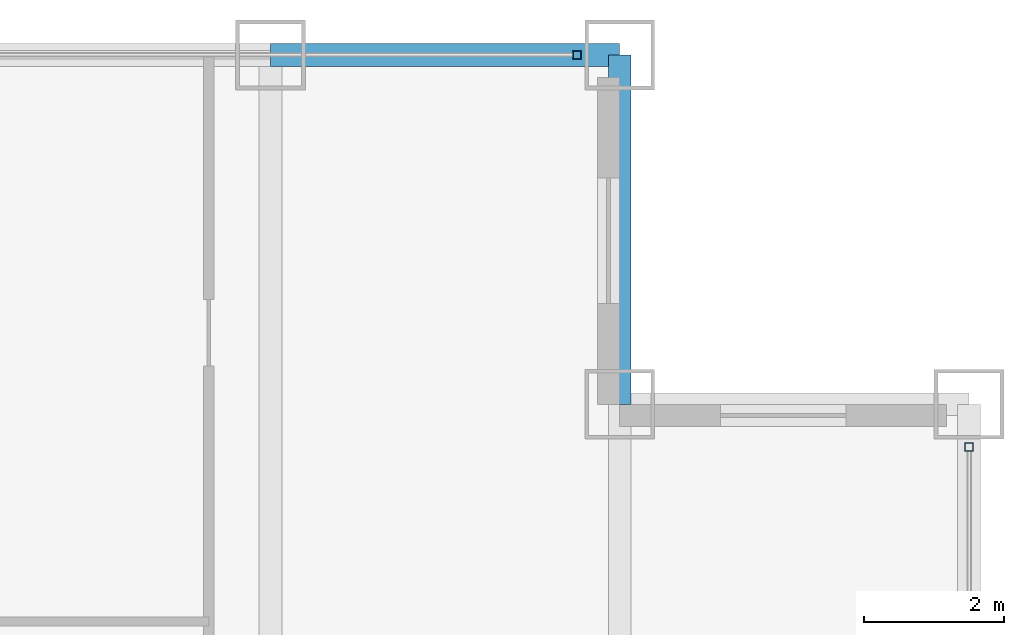
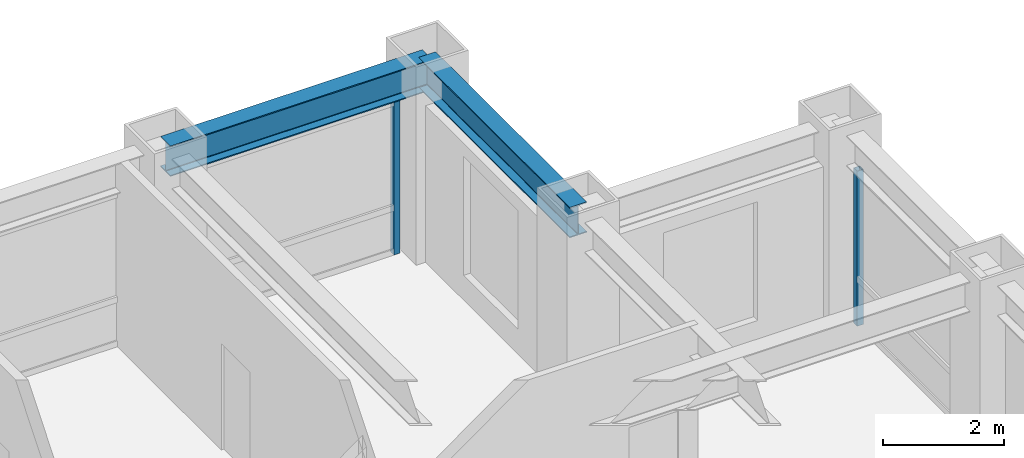
# One storey, part 18 of 25: 2 beams, 2 members, 2 elements without a shape of their own.
"""IFC4 building model written with IfcOpenShell, lengths in metres."""

from ifc_helpers import new_model, si_unit, direction, frame, origin, origin_2d, place, context, subcontext, project, spatial, hollow_rectangle, i_section, extrude, source, transform, mapped, material, material_profile, profile_set, type_object, element, aggregate, save


model = new_model("IFC4")

# Units and contexts
model_context = context("Model", 3, precision=1e-05, world=origin(), true_north=direction((0.0, 1.0)))
body_context = subcontext(model_context, "Body", "Model", "MODEL_VIEW")
ifc_project = project(units=[si_unit("LENGTHUNIT", "METRE"), si_unit("AREAUNIT", "SQUARE_METRE"), si_unit("VOLUMEUNIT", "CUBIC_METRE"), si_unit("PLANEANGLEUNIT", "RADIAN"), si_unit("MASSUNIT", "GRAM", prefix="KILO")], contexts=[model_context])

# Site, building, storey
site_placement = place(None, origin())
site = spatial("IfcSite", under=ifc_project, at=site_placement, CompositionType="ELEMENT")
building_placement = place(site_placement, origin())
building = spatial("IfcBuilding", under=site, at=building_placement, Name="Khorayat Bourse Tower", CompositionType="ELEMENT")
storey_placement = place(building_placement, frame((0.0, 0.0, 227.10009765625)))
storey = spatial("IfcBuildingStorey", under=building, at=storey_placement, Name="L53", CompositionType="ELEMENT", Elevation=227.10009765625)

# Beams
ifc_material_1 = material(Name="Steel ASTM A992 Grade 50", Category="steel")
ifc_material_profile_1 = material_profile(ifc_material_1, i_section(OverallWidth=0.324951171875, OverallDepth=0.615966796875, WebThickness=0.013916015625, FlangeThickness=0.021484375, FilletRadius=0.01611328125, at=origin_2d()), Name="W610X174")
ifc_profile_set_1 = profile_set([ifc_material_profile_1], Name="Steel ASTM A992 Grade 50")
beam_type = type_object("IfcBeamType", Name="BM-SPAN-610", PredefinedType="SPANDREL", material=ifc_profile_set_1)
shared_shape_1 = source(origin(), body_context, "Body", "SweptSolid", [
    extrude(i_section(OverallWidth=0.324951171875, OverallDepth=0.615966796875, WebThickness=0.013916015625, FlangeThickness=0.021484375, FilletRadius=0.01611328125, at=origin_2d()), origin(), (0.0, 0.0, 1.0), 5.0),
])
for number, where, z_axis, x_axis, name in (
    (1, (25.0, 25.0, 3.471923828125), (0.0, 1.0, 0.0), (-1.0, 0.0, 0.0), "L53 BM-SPAN-610 BM-L53-SPN-043"),
    (2, (20.0, 30.0, 3.471923828125), (1.0, 0.0, 0.0), (0.0, 1.0, 0.0), "L53 BM-SPAN-610 BM-L53-SPN-044"),
):
    element("IfcBeam", number, at=place(storey_placement, frame(where, z_axis=z_axis, x_axis=x_axis)), inside=storey, type_object=beam_type, Name=name, PredefinedType="SPANDREL", context=body_context, shape_type="MappedRepresentation", body=[
        mapped(shared_shape_1, transform((0.0, 0.0, 0.0), scale=1.0)),
    ])

# Curtain wall, member
ifc_material_2 = material(Name="Aluminium EN AW-6063 T6", Category="aluminium")
curtain_wall_type = type_object("IfcCurtainWallType", Name="CW-SYS-03", PredefinedType="NOTDEFINED", material=ifc_material_2)
curtain_wall_1_placement = place(storey_placement, origin())
curtain_wall_1 = element("IfcCurtainWall", 3, at=curtain_wall_1_placement, inside=storey, type_object=curtain_wall_type, Name="L53 Curtain Wall CW-L53-N1", PredefinedType="NOTDEFINED")
ifc_material_profile_2 = material_profile(ifc_material_2, hollow_rectangle(XDim=0.1201171875, YDim=0.1201171875, WallThickness=0.0048828125, at=origin_2d()), Name="ALU 120x120x5")
ifc_profile_set_2 = profile_set([ifc_material_profile_2], Name="Aluminium EN AW-6063 T6")
member_type = type_object("IfcMemberType", Name="CWM-VERT-120", PredefinedType="MULLION", material=ifc_profile_set_2)
shared_shape_2 = source(origin(), body_context, "Body", "SweptSolid", [
    extrude(hollow_rectangle(XDim=0.1201171875, YDim=0.1201171875, WallThickness=0.0048828125, at=origin_2d()), origin(), (0.0, 0.0, 1.0), 3.1298828125),
])
member_1_placement = place(storey_placement, frame((24.389892578125, 30.0, 0.0), z_axis=(0.0, 0.0, 1.0), x_axis=(0.0, 1.0, 0.0)))
member_1 = element("IfcMember", 4, at=member_1_placement, type_object=member_type, Name="CW-L53-N1 Vertical Mullion 3", PredefinedType="MULLION", context=body_context, shape_type="MappedRepresentation", body=[
    mapped(shared_shape_2, transform((0.0, 0.0, 0.0), scale=1.0)),
])
aggregate(curtain_wall_1, [member_1])

curtain_wall_2_placement = place(storey_placement, origin())
curtain_wall_2 = element("IfcCurtainWall", 5, at=curtain_wall_2_placement, inside=storey, type_object=curtain_wall_type, Name="L53 Curtain Wall CW-L53-E1", PredefinedType="NOTDEFINED")
member_2_placement = place(storey_placement, frame((30.0, 24.389892578125, 0.0), z_axis=(0.0, 0.0, 1.0), x_axis=(-1.0, 0.0, 0.0)))
member_2 = element("IfcMember", 6, at=member_2_placement, type_object=member_type, Name="CW-L53-E1 Vertical Mullion 3", PredefinedType="MULLION", context=body_context, shape_type="MappedRepresentation", body=[
    mapped(shared_shape_2, transform((0.0, 0.0, 0.0), scale=1.0)),
])
aggregate(curtain_wall_2, [member_2])

save(model, "model.ifc")
